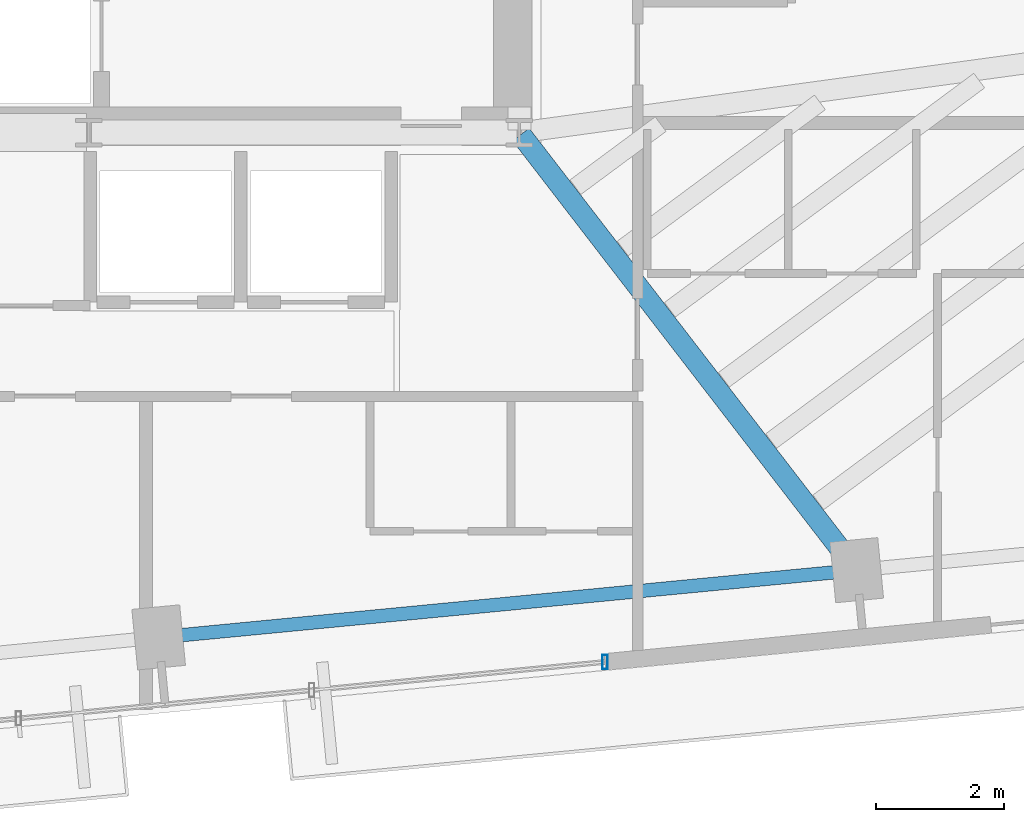
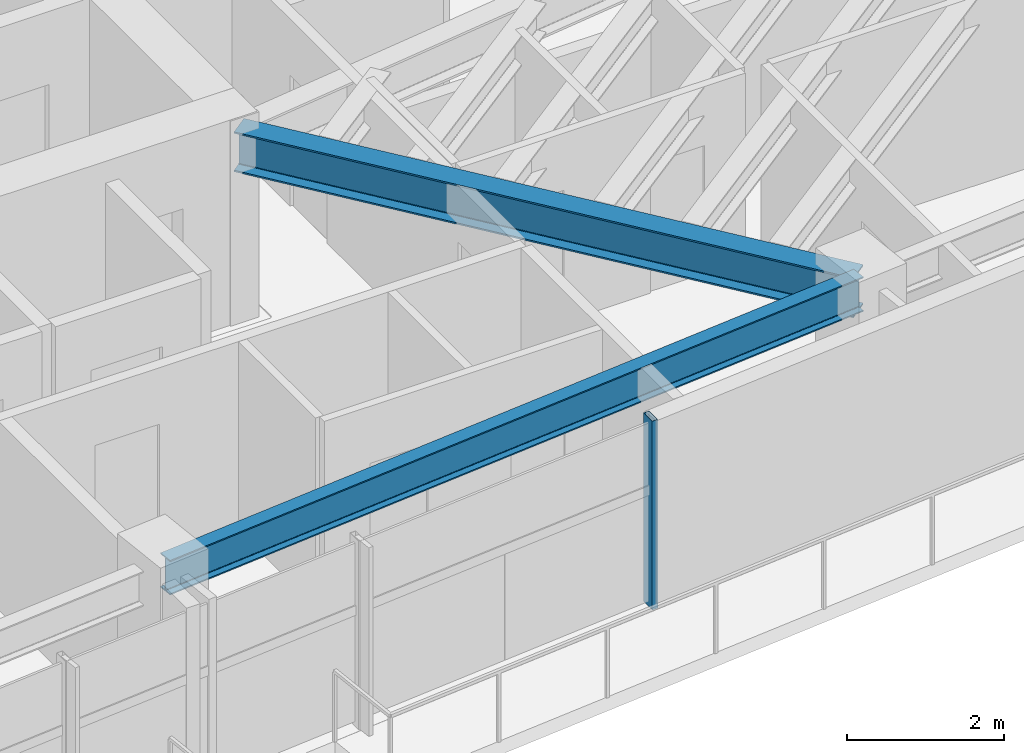
# One storey, part 8 of 18: 2 beams, 1 member, 1 element without a shape of its own.
"""IFC4 building model written with IfcOpenShell, lengths in metres."""

import ifcopenshell
import ifcopenshell.guid

model = None  # the IFC model being written
_history = None  # IfcOwnerHistory: only IFC2X3 demands one
_inside = {}  # id of a spatial element -> (the spatial element, [elements in it])
_under = {}  # id of a project, library or spatial element -> (it, [spatial elements below it])
_declared = {}  # id of a project -> (the project, [libraries it declares])
_typed = {}  # id of a type object -> (the type object, [elements of that type])
_made_of = {}  # id of a material, layer set ... -> (it, [elements and type objects made of it])


def new_model(schema):
    """Start an empty IFC model of exactly this schema.

    Asked for "IFC4X3", IfcOpenShell would pick the latest addendum, in which some entities
    have other attributes; the version numbers below select the first issue.
    IFC2X3 requires an IfcOwnerHistory on every rooted entity: one is made here for all.
    """
    global model, _history
    if schema == "IFC4X3":
        model = ifcopenshell.file(schema_version=(4, 3, 0, 0))
    else:
        model = ifcopenshell.file(schema=schema)
    _inside.clear()
    _under.clear()
    _declared.clear()
    _typed.clear()
    _made_of.clear()
    _history = None
    if model.schema == "IFC2X3":
        org = make("IfcOrganization", Name="unknown")
        user = make(
            "IfcPersonAndOrganization",
            ThePerson=make("IfcPerson", FamilyName="unknown"),
            TheOrganization=org,
        )
        app = make(
            "IfcApplication",
            ApplicationDeveloper=org,
            Version="unknown",
            ApplicationFullName="unknown",
            ApplicationIdentifier="unknown",
        )
        _history = make(
            "IfcOwnerHistory",
            OwningUser=user,
            OwningApplication=app,
            ChangeAction="ADDED",
            CreationDate=0,
        )
    return model


def make(cls, **values):
    """One entity of the class cls with the attributes given. An attribute that is None is left unset."""
    return model.create_entity(
        cls, **{name: value for name, value in values.items() if value is not None}
    )


def rooted(cls, **values):
    """An entity with a GlobalId (a new one), such as an element, a storey or a relation."""
    return make(cls, GlobalId=ifcopenshell.guid.new(), OwnerHistory=_history, **values)


def si_unit(unit_type, name, prefix=None):
    """IfcSIUnit, for example si_unit("LENGTHUNIT", "METRE", prefix="MILLI")."""
    return make("IfcSIUnit", UnitType=unit_type, Prefix=prefix, Name=name)


def assignment(units):
    """IfcUnitAssignment: the units of a project."""
    return None if units is None else make("IfcUnitAssignment", Units=units)


def point(xyz):
    """IfcCartesianPoint."""
    return None if xyz is None else make("IfcCartesianPoint", Coordinates=xyz)


def direction(xyz):
    """IfcDirection."""
    return None if xyz is None else make("IfcDirection", DirectionRatios=xyz)


def frame(location, z_axis=None, x_axis=None):
    """IfcAxis2Placement3D, a coordinate frame: its origin and axes. An axis left out is left unset."""
    return make(
        "IfcAxis2Placement3D",
        Location=point(location),
        Axis=direction(z_axis),
        RefDirection=direction(x_axis),
    )


def frame_2d(location, x_axis=None):
    """IfcAxis2Placement2D, a coordinate frame in the plane: its origin and x axis."""
    return make(
        "IfcAxis2Placement2D", Location=point(location), RefDirection=direction(x_axis)
    )


def origin():
    """The frame at (0, 0, 0) with its axes left unset."""
    return frame((0.0, 0.0, 0.0))


def origin_2d():
    """The frame at (0, 0) in the plane with its x axis left unset."""
    return frame_2d((0.0, 0.0))


def place(relative_to, where):
    """IfcLocalPlacement: puts the frame where relative to a parent placement (None: the world)."""
    return make(
        "IfcLocalPlacement", PlacementRelTo=relative_to, RelativePlacement=where
    )


def context(
    kind, dimensions, precision=None, world=None, true_north=None, identifier=None
):
    """IfcGeometricRepresentationContext, for example the 3D "Model" context."""
    return make(
        "IfcGeometricRepresentationContext",
        ContextIdentifier=identifier,
        ContextType=kind,
        CoordinateSpaceDimension=dimensions,
        Precision=precision,
        WorldCoordinateSystem=world,
        TrueNorth=true_north,
    )


def subcontext(parent, identifier, kind, view, scale=None):
    """IfcGeometricRepresentationSubContext, for example "Body" below "Model"."""
    return make(
        "IfcGeometricRepresentationSubContext",
        ContextIdentifier=identifier,
        ContextType=kind,
        ParentContext=parent,
        TargetScale=scale,
        TargetView=view,
    )


def project(units=None, contexts=None):
    """IfcProject with its units and contexts."""
    return rooted(
        "IfcProject",
        Name="project",
        RepresentationContexts=contexts,
        UnitsInContext=assignment(units),
    )


def spatial(cls, under=None, at=None, **own):
    """A site, building, storey or space (cls), placed at a placement, below another one or the project."""
    s = rooted(cls, ObjectPlacement=at, **own)
    if under is not None:
        _under.setdefault(under.id(), (under, []))[1].append(s)
    return s


def profile(cls, at=None, kind="AREA", **sizes):
    """A parametric profile (cls). Its sizes go by their IFC names, for example OverallWidth=200.0."""
    return make(cls, ProfileType=kind, Position=at, **sizes)


def hollow_rectangle(**sizes):
    """IfcRectangleHollowProfileDef."""
    return profile("IfcRectangleHollowProfileDef", **sizes)


def i_section(**sizes):
    """IfcIShapeProfileDef."""
    return profile("IfcIShapeProfileDef", **sizes)


def extrude(swept, where, along, depth):
    """IfcExtrudedAreaSolid: the profile swept, set in the frame where, extruded along a direction by depth."""
    return make(
        "IfcExtrudedAreaSolid",
        SweptArea=swept,
        Position=where,
        ExtrudedDirection=direction(along),
        Depth=depth,
    )


def shape(context_of_items, identifier, shape_type, items):
    """IfcShapeRepresentation: the items that make up one representation, for example the "Body"."""
    return make(
        "IfcShapeRepresentation",
        ContextOfItems=context_of_items,
        RepresentationIdentifier=identifier,
        RepresentationType=shape_type,
        Items=items,
    )


def source(mapping_origin, context_of_items, identifier, shape_type, items):
    """IfcRepresentationMap: a shape defined once, which mapped items show again and again."""
    return make(
        "IfcRepresentationMap",
        MappingOrigin=mapping_origin,
        MappedRepresentation=shape(context_of_items, identifier, shape_type, items),
    )


def transform(
    local_origin,
    x_axis=None,
    y_axis=None,
    z_axis=None,
    scale=None,
    scale2=None,
    scale3=None,
    uniform=True,
):
    """IfcCartesianTransformationOperator3D, or its non-uniform kind. x_axis, y_axis, z_axis: its Axis1, 2, 3."""
    if uniform:
        return make(
            "IfcCartesianTransformationOperator3D",
            Axis1=direction(x_axis),
            Axis2=direction(y_axis),
            LocalOrigin=point(local_origin),
            Scale=scale,
            Axis3=direction(z_axis),
        )
    return make(
        "IfcCartesianTransformationOperator3DnonUniform",
        Axis1=direction(x_axis),
        Axis2=direction(y_axis),
        LocalOrigin=point(local_origin),
        Scale=scale,
        Axis3=direction(z_axis),
        Scale2=scale2,
        Scale3=scale3,
    )


def mapped(mapping_source, mapping_target):
    """IfcMappedItem: shows the shape of a source again, moved by a transform."""
    return make(
        "IfcMappedItem", MappingSource=mapping_source, MappingTarget=mapping_target
    )


def material(Name=None, Category=None):
    """IfcMaterial."""
    return make("IfcMaterial", Name=Name, Category=Category)


def material_profile(
    of_material, cross_section, Name=None, Category=None, Priority=None
):
    """IfcMaterialProfile: a cross section and its material."""
    return make(
        "IfcMaterialProfile",
        Name=Name,
        Material=of_material,
        Profile=cross_section,
        Priority=Priority,
        Category=Category,
    )


def profile_set(profiles, Name=None, composite=None):
    """IfcMaterialProfileSet."""
    return make(
        "IfcMaterialProfileSet",
        Name=Name,
        MaterialProfiles=profiles,
        CompositeProfile=composite,
    )


def made_of(thing, what):
    """Note that an element or type object is made of a material, layer set ...; save() writes the relation."""
    if what is not None:
        _made_of.setdefault(what.id(), (what, []))[1].append(thing)
    return thing


def type_object(cls, material=None, **own):
    """A type object (cls), such as IfcWallType, which elements share."""
    return made_of(rooted(cls, **own), material)


def type_shapes(of_type, sources):
    """Give a type object the sources (RepresentationMaps) that its elements show as mapped items."""
    of_type.RepresentationMaps = sources


def element(
    cls,
    number,
    at=None,
    inside=None,
    cuts=None,
    type_object=None,
    material=None,
    context=None,
    identifier="Body",
    shape_type=None,
    held_by="IfcProductDefinitionShape",
    body=None,
    shapes=None,
    **own,
):
    """One element of the class cls, such as IfcWall. Its Tag is "e" and its number.

    at: its placement. inside: the storey or other place that contains it. cuts: it is an
    opening in that element (IfcRelVoidsElement). A single representation is given by context,
    identifier, shape_type and body (its items); several are given by shapes. held_by: the class
    of the entity that holds the representations. save() writes the other relations.
    """
    e = rooted(cls, Tag="e%d" % number, ObjectPlacement=at, **own)
    if body is not None:
        shapes = [shape(context, identifier, shape_type, body)]
    if shapes is not None:
        e.Representation = make(held_by, Representations=shapes)
    if inside is not None:
        _inside.setdefault(inside.id(), (inside, []))[1].append(e)
    if cuts is not None:
        rooted(
            "IfcRelVoidsElement", RelatingBuildingElement=cuts, RelatedOpeningElement=e
        )
    if type_object is not None:
        _typed.setdefault(type_object.id(), (type_object, []))[1].append(e)
    return made_of(e, material)


def aggregate(whole, parts):
    """IfcRelAggregates: a whole, such as a stair, and the parts it consists of."""
    return rooted("IfcRelAggregates", RelatingObject=whole, RelatedObjects=parts)


def save(model, path):
    """Write the relations noted so far, then the file.

    IfcRelAggregates (storeys below a building ...), IfcRelContainedInSpatialStructure (elements
    in a storey), IfcRelDefinesByType, IfcRelAssociatesMaterial and IfcRelDeclares: one each for
    every whole, place, type object, material and project.
    """
    for whole, parts in _under.values():
        aggregate(whole, parts)
    for where, things in _inside.values():
        rooted(
            "IfcRelContainedInSpatialStructure",
            RelatedElements=things,
            RelatingStructure=where,
        )
    for kind, things in _typed.values():
        rooted("IfcRelDefinesByType", RelatedObjects=things, RelatingType=kind)
    for what, things in _made_of.values():
        rooted("IfcRelAssociatesMaterial", RelatedObjects=things, RelatingMaterial=what)
    for by, libraries in _declared.values():
        rooted("IfcRelDeclares", RelatingContext=by, RelatedDefinitions=libraries)
    model.write(path)


model = new_model("IFC4")

# Units and contexts
model_context = context("Model", 3, precision=1e-05, world=origin(), true_north=direction((0.0, 1.0)))
body_context = subcontext(model_context, "Body", "Model", "MODEL_VIEW")
ifc_project = project(units=[si_unit("LENGTHUNIT", "METRE"), si_unit("AREAUNIT", "SQUARE_METRE"), si_unit("VOLUMEUNIT", "CUBIC_METRE"), si_unit("PLANEANGLEUNIT", "RADIAN"), si_unit("MASSUNIT", "GRAM", prefix="KILO")], contexts=[model_context])

# Site, building, storey
site_placement = place(None, origin())
site = spatial("IfcSite", under=ifc_project, at=site_placement, CompositionType="ELEMENT")
building_placement = place(site_placement, origin())
building = spatial("IfcBuilding", under=site, at=building_placement, Name="Astriad Promenade Condominiums", CompositionType="ELEMENT")
storey_placement = place(building_placement, frame((0.0, 0.0, 189.0)))
storey = spatial("IfcBuildingStorey", under=building, at=storey_placement, Name="L54", CompositionType="ELEMENT", Elevation=189.0)

# Beams
ifc_material_1 = material(Name="Steel ASTM A992 Grade 50", Category="steel")
ifc_material_profile_1 = material_profile(ifc_material_1, i_section(OverallWidth=0.210693359375, OverallDepth=0.53955078125, WebThickness=0.01171875, FlangeThickness=0.018798828125, FilletRadius=0.0166015625, at=origin_2d()), Name="W21X73")
ifc_profile_set_1 = profile_set([ifc_material_profile_1], Name="Steel ASTM A992 Grade 50")
beam_type_1 = type_object("IfcBeamType", Name="STEEL SPANDREL BEAM W21X73", PredefinedType="SPANDREL", material=ifc_profile_set_1)
shared_shape_1 = source(origin(), body_context, "Body", "SweptSolid", [
    extrude(i_section(OverallWidth=0.210693359375, OverallDepth=0.53955078125, WebThickness=0.01171875, FlangeThickness=0.018798828125, FilletRadius=0.0166015625, at=origin_2d()), origin(), (0.0, 0.0, 1.0), 10.8701171875),
])
type_shapes(beam_type_1, [shared_shape_1])
beam_1_placement = place(storey_placement, frame((40.008544921875, 9.520751953125, 2.67041015625), z_axis=(0.995397128983, 0.095836087217, 0.0), x_axis=(-0.095836087217, 0.995397128983, 0.0)))
element("IfcBeam", 1, at=beam_1_placement, inside=storey, type_object=beam_type_1, Name="Perimeter Spandrel Beam SP-S3-L54", PredefinedType="SPANDREL", context=body_context, shape_type="MappedRepresentation", body=[
    mapped(shared_shape_1, transform((0.0, 0.0, 0.0), scale=1.0)),
])
ifc_material_profile_2 = material_profile(ifc_material_1, i_section(OverallWidth=0.326416015625, OverallDepth=0.621826171875, WebThickness=0.015380859375, FlangeThickness=0.0244140625, FilletRadius=0.017822265625, at=origin_2d()), Name="W24X131")
ifc_profile_set_2 = profile_set([ifc_material_profile_2], Name="Steel ASTM A992 Grade 50")
beam_type_2 = type_object("IfcBeamType", Name="STEEL FLOOR GIRDER W24X131", PredefinedType="BEAM", material=ifc_profile_set_2)
shared_shape_2 = source(origin(), body_context, "Body", "SweptSolid", [
    extrude(i_section(OverallWidth=0.326416015625, OverallDepth=0.621826171875, WebThickness=0.015380859375, FlangeThickness=0.0244140625, FilletRadius=0.017822265625, at=origin_2d()), origin(), (0.0, 0.0, 1.0), 8.548583984375),
])
type_shapes(beam_type_2, [shared_shape_2])
beam_2_placement = place(storey_placement, frame((50.843994140625, 10.59814453125, 2.629150390625), z_axis=(-0.610561975536, 0.791968480452, 0.0), x_axis=(-0.791968480452, -0.610561975536, 0.0)))
element("IfcBeam", 2, at=beam_2_placement, inside=storey, type_object=beam_type_2, Name="Primary Floor Girder PG-E2-L54", PredefinedType="BEAM", context=body_context, shape_type="MappedRepresentation", body=[
    mapped(shared_shape_2, transform((0.0, 0.0, 0.0), scale=1.0)),
])

# Curtain wall, member
ifc_material_2 = material(Name="Anodised aluminium Black Dark Glass Unitised", Category="aluminium")
curtain_wall_type = type_object("IfcCurtainWallType", Name="CW-B34-DARK", PredefinedType="USERDEFINED", material=ifc_material_2)
curtain_wall_placement = place(storey_placement, origin())
curtain_wall = element("IfcCurtainWall", 3, at=curtain_wall_placement, inside=storey, type_object=curtain_wall_type, Name="CW-L54-S", ObjectType="UNITISED_CURTAIN_WALL", PredefinedType="USERDEFINED")
ifc_material_3 = material(Name="Anodised aluminium 6063-T6 Black", Category="aluminium")
ifc_material_profile_3 = material_profile(ifc_material_3, hollow_rectangle(XDim=0.0849609375, YDim=0.219970703125, WallThickness=0.0048828125, at=origin_2d()), Name="ALU-MUL-85X220")
ifc_profile_set_3 = profile_set([ifc_material_profile_3], Name="Anodised aluminium 6063-T6 Black")
member_type = type_object("IfcMemberType", Name="MUL-ALU-MUL-85X220", PredefinedType="MULLION", material=ifc_profile_set_3)
shared_shape_3 = source(origin(), body_context, "Body", "SweptSolid", [
    extrude(hollow_rectangle(XDim=0.0849609375, YDim=0.219970703125, WallThickness=0.0048828125, at=origin_2d()), origin(), (0.0, 0.0, 1.0), 2.93994140625),
])
type_shapes(member_type, [shared_shape_3])
member_placement = place(storey_placement, frame((46.9375, 9.133056640625, 0.0), z_axis=(0.0, 0.0, 1.0), x_axis=(1.0, 0.0, 0.0)))
member = element("IfcMember", 4, at=member_placement, type_object=member_type, Name="CW-L54-S-MUL-00", PredefinedType="MULLION", context=body_context, shape_type="MappedRepresentation", body=[
    mapped(shared_shape_3, transform((0.0, 0.0, 0.0), scale=1.0)),
])
aggregate(curtain_wall, [member])

save(model, "model.ifc")
